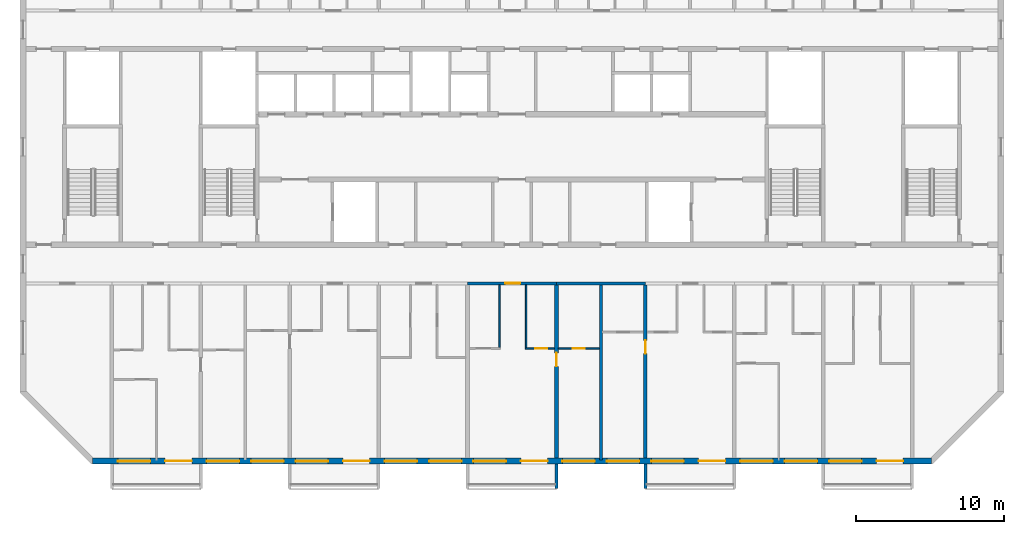
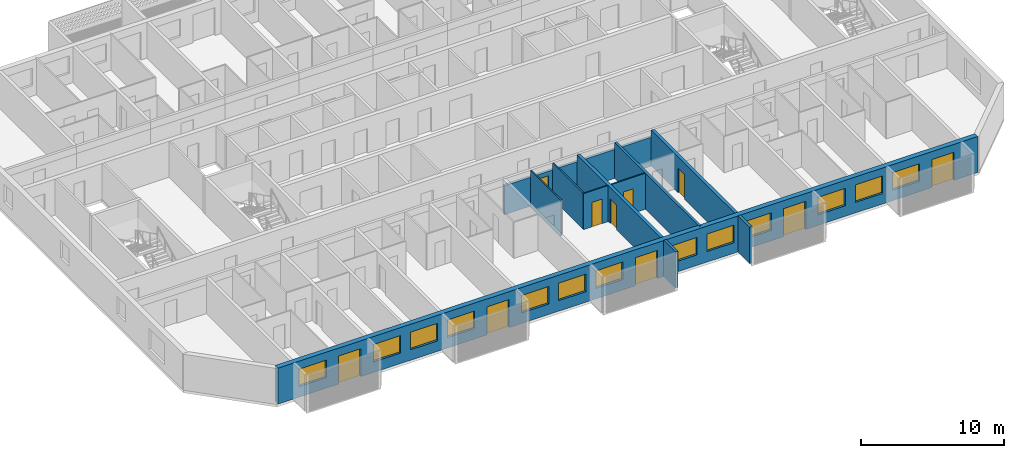
# One storey, part 4 of 27: 13 windows, 12 walls, 10 doors, 23 openings.
"""IFC4 building model written with IfcOpenShell, lengths in metres."""

from ifc_helpers import new_model, si_unit, direction, frame, frame_2d, origin, place, context, subcontext, project, spatial, polyline, rectangle, outline, extrude, source, transform, mapped, material, layer, layer_set, type_object, element, fill, save


model = new_model("IFC4")

# Units and contexts
model_context = context("Model", 3, precision=1e-05, world=origin(), true_north=direction((0.0, 1.0)))
body_context = subcontext(model_context, "Body", "Model", "MODEL_VIEW")
ifc_project = project(units=[si_unit("LENGTHUNIT", "METRE"), si_unit("AREAUNIT", "SQUARE_METRE"), si_unit("VOLUMEUNIT", "CUBIC_METRE"), si_unit("PLANEANGLEUNIT", "RADIAN"), si_unit("MASSUNIT", "GRAM", prefix="KILO")], contexts=[model_context])

# Site, building, storey
site_placement = place(None, origin())
site = spatial("IfcSite", under=ifc_project, at=site_placement, CompositionType="ELEMENT")
building_placement = place(site_placement, origin())
building = spatial("IfcBuilding", under=site, at=building_placement, Name="Poui Terraces", CompositionType="ELEMENT")
storey_placement = place(building_placement, frame((0.0, 0.0, 254.39990234375)))
storey = spatial("IfcBuildingStorey", under=building, at=storey_placement, Name="L71", CompositionType="ELEMENT", Elevation=254.39990234375)

# Wall, opening, door
ifc_material_1 = material(Name="Concrete 50 MPa", Category="concrete")
ifc_layer_1 = layer(ifc_material_1, 0.199951171875)
ifc_layer_set_1 = layer_set([ifc_layer_1], Name="Concrete 50 MPa")
wall_type_1 = type_object("IfcWallType", Name="CORRIDOR WALL 200 50MPa", PredefinedType="SHEAR", material=ifc_layer_set_1)
wall_1_placement = place(storey_placement, frame((48.0, 12.0, 0.0), z_axis=(0.0, 0.0, 1.0), x_axis=(1.0, 0.0, 0.0)))
wall_1 = element("IfcWall", 1, at=wall_1_placement, inside=storey, type_object=wall_type_1, Name="CORRIDOR WALL LINE B BAY 6", PredefinedType="SHEAR", context=body_context, shape_type="SweptSolid", body=[
    extrude(rectangle(XDim=6.0, YDim=0.199951171875, at=frame_2d((3.0, 0.0))), origin(), (0.0, 0.0, 1.0), 2.47998046875),
])
opening_1_placement = place(wall_1_placement, frame((2.550048828125, 0.0, 0.0)))
opening_1 = element("IfcOpeningElement", 2, at=opening_1_placement, cuts=wall_1, Name="Opening FD30S", PredefinedType="OPENING", context=body_context, shape_type="SweptSolid", body=[
    extrude(rectangle(XDim=1.0, YDim=2.10009765625, at=frame_2d((0.5, 1.050048828125))), frame((0.0, 0.10986328125, 0.0), z_axis=(0.0, -1.0, 0.0), x_axis=(1.0, 0.0, 0.0)), (0.0, 0.0, 1.0), 0.219970703125),
])
ifc_material_2 = material(Name="Steel fire door", Category="steel")
door_type_1 = type_object("IfcDoorType", Name="FLAT ENTRANCE DOOR 1000 X 2100", OperationType="NOTDEFINED", PredefinedType="DOOR", material=ifc_material_2)
door_1_placement = place(opening_1_placement, frame((1.0, 0.0, 0.0), z_axis=(0.0, 0.0, 1.0), x_axis=(-1.0, 0.0, 0.0)))
door_1 = element("IfcDoor", 3, at=door_1_placement, inside=storey, type_object=door_type_1, Name="FLAT ENTRANCE DOOR 078", OperationType="SINGLE_SWING_LEFT", OverallHeight=2.10009765625, OverallWidth=1.0, PredefinedType="DOOR", context=body_context, shape_type="SweptSolid", body=[
    extrude(rectangle(XDim=1.0, YDim=2.10009765625, at=frame_2d((0.5, 1.050048828125))), frame((0.0, 0.02490234375, 0.0), z_axis=(0.0, -1.0, 0.0), x_axis=(1.0, 0.0, 0.0)), (0.0, 0.0, 1.0), 0.050048828125),
])
fill(opening_1, door_1)

# Wall
wall_2_placement = place(storey_placement, frame((54.0, 12.0, 0.0), z_axis=(0.0, 0.0, 1.0), x_axis=(1.0, 0.0, 0.0)))
element("IfcWall", 4, at=wall_2_placement, inside=storey, type_object=wall_type_1, Name="CORRIDOR WALL LINE B BAY 7", PredefinedType="SHEAR", context=body_context, shape_type="SweptSolid", body=[
    extrude(rectangle(XDim=6.0, YDim=0.199951171875, at=frame_2d((3.0, 0.0))), origin(), (0.0, 0.0, 1.0), 2.47998046875),
])

# Wall, opening, door
ifc_layer_2 = layer(ifc_material_1, 0.25)
ifc_layer_set_2 = layer_set([ifc_layer_2], Name="Concrete 50 MPa")
wall_type_2 = type_object("IfcWallType", Name="CROSS WALL 250 50MPa", PredefinedType="SHEAR", material=ifc_layer_set_2)
wall_3_placement = place(storey_placement, frame((54.0, 0.199951171875, 0.0), z_axis=(0.0, 0.0, 1.0), x_axis=(0.0, 1.0, 0.0)))
wall_3 = element("IfcWall", 5, at=wall_3_placement, inside=storey, type_object=wall_type_2, Name="CROSS WALL LINE 10 SOUTH", PredefinedType="SHEAR", context=body_context, shape_type="SweptSolid", body=[
    extrude(rectangle(XDim=11.699951171875, YDim=0.25, at=frame_2d((5.85009765625, 0.0))), origin(), (0.0, 0.0, 1.0), 3.080078125),
])
opening_2_placement = place(wall_3_placement, frame((6.199951171875, 0.0, 0.0)))
opening_2 = element("IfcOpeningElement", 6, at=opening_2_placement, cuts=wall_3, Name="Opening D90", PredefinedType="OPENING", context=body_context, shape_type="SweptSolid", body=[
    extrude(rectangle(XDim=0.89990234375, YDim=2.10009765625, at=frame_2d((0.449951171875, 1.050048828125))), frame((0.0, 0.135009765625, 0.0), z_axis=(0.0, -1.0, 0.0), x_axis=(1.0, 0.0, 0.0)), (0.0, 0.0, 1.0), 0.27001953125),
])
ifc_material_3 = material(Name="Solid core timber door", Category="wood")
door_type_2 = type_object("IfcDoorType", Name="INTERNAL DOOR 900 X 2100", OperationType="NOTDEFINED", PredefinedType="DOOR", material=ifc_material_3)
door_2_placement = place(opening_2_placement, frame((0.89990234375, 0.0, 0.0), z_axis=(0.0, 0.0, 1.0), x_axis=(-1.0, 0.0, 0.0)))
door_2 = element("IfcDoor", 7, at=door_2_placement, inside=storey, type_object=door_type_2, Name="INTERNAL DOOR 080", OperationType="SINGLE_SWING_LEFT", OverallHeight=2.10009765625, OverallWidth=0.89990234375, PredefinedType="DOOR", context=body_context, shape_type="SweptSolid", body=[
    extrude(rectangle(XDim=0.89990234375, YDim=2.10009765625, at=frame_2d((0.449951171875, 1.050048828125))), frame((0.0, 0.02490234375, 0.0), z_axis=(0.0, -1.0, 0.0), x_axis=(1.0, 0.0, 0.0)), (0.0, 0.0, 1.0), 0.050048828125),
])
fill(opening_2, door_2)

wall_4_placement = place(storey_placement, frame((60.0, 0.199951171875, 0.0), z_axis=(0.0, 0.0, 1.0), x_axis=(0.0, 1.0, 0.0)))
wall_4 = element("IfcWall", 8, at=wall_4_placement, inside=storey, type_object=wall_type_2, Name="CROSS WALL LINE 11 SOUTH", PredefinedType="SHEAR", context=body_context, shape_type="SweptSolid", body=[
    extrude(rectangle(XDim=11.699951171875, YDim=0.25, at=frame_2d((5.85009765625, 0.0))), origin(), (0.0, 0.0, 1.0), 3.080078125),
])
opening_3_placement = place(wall_4_placement, frame((7.050048828125, 0.0, 0.0)))
opening_3 = element("IfcOpeningElement", 9, at=opening_3_placement, cuts=wall_4, Name="Opening D90", PredefinedType="OPENING", context=body_context, shape_type="SweptSolid", body=[
    extrude(rectangle(XDim=0.89990234375, YDim=2.10009765625, at=frame_2d((0.449951171875, 1.050048828125))), frame((0.0, 0.135009765625, 0.0), z_axis=(0.0, -1.0, 0.0), x_axis=(1.0, 0.0, 0.0)), (0.0, 0.0, 1.0), 0.27001953125),
])
door_3_placement = place(opening_3_placement, origin())
door_3 = element("IfcDoor", 10, at=door_3_placement, inside=storey, type_object=door_type_2, Name="INTERNAL DOOR 082", OperationType="SINGLE_SWING_RIGHT", OverallHeight=2.10009765625, OverallWidth=0.89990234375, PredefinedType="DOOR", context=body_context, shape_type="SweptSolid", body=[
    extrude(rectangle(XDim=0.89990234375, YDim=2.10009765625, at=frame_2d((0.449951171875, 1.050048828125))), frame((0.0, 0.02490234375, 0.0), z_axis=(0.0, -1.0, 0.0), x_axis=(1.0, 0.0, 0.0)), (0.0, 0.0, 1.0), 0.050048828125),
])
fill(opening_3, door_3)

# Wall, openings, doors, windows
ifc_material_4 = material(Name="Precast concrete 40 MPa", Category="concrete")
ifc_layer_3 = layer(ifc_material_4, 0.39990234375)
ifc_layer_set_3 = layer_set([ifc_layer_3], Name="Precast concrete 40 MPa")
wall_type_3 = type_object("IfcWallType", Name="EXTERNAL WALL 400", PredefinedType="STANDARD", material=ifc_layer_set_3)
wall_5_placement = place(storey_placement, frame((22.682861328125, 0.0, 0.0), z_axis=(0.0, 0.0, 1.0), x_axis=(1.0, 0.0, 0.0)))
wall_5 = element("IfcWall", 11, at=wall_5_placement, inside=storey, type_object=wall_type_3, Name="EXTERNAL WALL S", PredefinedType="STANDARD", context=body_context, shape_type="SweptSolid", body=[
    extrude(rectangle(XDim=56.63427734375, YDim=0.39990234375, at=frame_2d((28.317138671875, 0.0))), origin(), (0.0, 0.0, 1.0), 3.080078125),
])
opening_4_placement = place(wall_5_placement, frame((1.71728515625, 0.0, 0.89990234375)))
opening_4 = element("IfcOpeningElement", 12, at=opening_4_placement, cuts=wall_5, Name="Opening W1", PredefinedType="OPENING", context=body_context, shape_type="SweptSolid", body=[
    extrude(rectangle(XDim=2.199951171875, YDim=1.5, at=frame_2d((1.10009765625, 0.75))), frame((0.0, 0.2099609375, 0.0), z_axis=(0.0, -1.0, 0.0), x_axis=(1.0, 0.0, 0.0)), (0.0, 0.0, 1.0), 0.419921875),
])
opening_5_placement = place(wall_5_placement, frame((4.917236328125, 0.0, 0.0)))
opening_5 = element("IfcOpeningElement", 13, at=opening_5_placement, cuts=wall_5, Name="Opening BD1", PredefinedType="OPENING", context=body_context, shape_type="SweptSolid", body=[
    extrude(rectangle(XDim=1.800048828125, YDim=2.39990234375, at=frame_2d((0.89990234375, 1.199951171875))), frame((0.0, 0.2099609375, 0.0), z_axis=(0.0, -1.0, 0.0), x_axis=(1.0, 0.0, 0.0)), (0.0, 0.0, 1.0), 0.419921875),
])
opening_6_placement = place(wall_5_placement, frame((7.71728515625, 0.0, 0.89990234375)))
opening_6 = element("IfcOpeningElement", 14, at=opening_6_placement, cuts=wall_5, Name="Opening W1", PredefinedType="OPENING", context=body_context, shape_type="SweptSolid", body=[
    extrude(rectangle(XDim=2.199951171875, YDim=1.5, at=frame_2d((1.10009765625, 0.75))), frame((0.0, 0.2099609375, 0.0), z_axis=(0.0, -1.0, 0.0), x_axis=(1.0, 0.0, 0.0)), (0.0, 0.0, 1.0), 0.419921875),
])
opening_7_placement = place(wall_5_placement, frame((10.71728515625, 0.0, 0.89990234375)))
opening_7 = element("IfcOpeningElement", 15, at=opening_7_placement, cuts=wall_5, Name="Opening W1", PredefinedType="OPENING", context=body_context, shape_type="SweptSolid", body=[
    extrude(rectangle(XDim=2.199951171875, YDim=1.5, at=frame_2d((1.10009765625, 0.75))), frame((0.0, 0.2099609375, 0.0), z_axis=(0.0, -1.0, 0.0), x_axis=(1.0, 0.0, 0.0)), (0.0, 0.0, 1.0), 0.419921875),
])
opening_8_placement = place(wall_5_placement, frame((13.71728515625, 0.0, 0.89990234375)))
opening_8 = element("IfcOpeningElement", 16, at=opening_8_placement, cuts=wall_5, Name="Opening W1", PredefinedType="OPENING", context=body_context, shape_type="SweptSolid", body=[
    extrude(rectangle(XDim=2.199951171875, YDim=1.5, at=frame_2d((1.10009765625, 0.75))), frame((0.0, 0.2099609375, 0.0), z_axis=(0.0, -1.0, 0.0), x_axis=(1.0, 0.0, 0.0)), (0.0, 0.0, 1.0), 0.419921875),
])
opening_9_placement = place(wall_5_placement, frame((16.917236328125, 0.0, 0.0)))
opening_9 = element("IfcOpeningElement", 17, at=opening_9_placement, cuts=wall_5, Name="Opening BD1", PredefinedType="OPENING", context=body_context, shape_type="SweptSolid", body=[
    extrude(rectangle(XDim=1.800048828125, YDim=2.39990234375, at=frame_2d((0.89990234375, 1.199951171875))), frame((0.0, 0.2099609375, 0.0), z_axis=(0.0, -1.0, 0.0), x_axis=(1.0, 0.0, 0.0)), (0.0, 0.0, 1.0), 0.419921875),
])
opening_10_placement = place(wall_5_placement, frame((19.71728515625, 0.0, 0.89990234375)))
opening_10 = element("IfcOpeningElement", 18, at=opening_10_placement, cuts=wall_5, Name="Opening W1", PredefinedType="OPENING", context=body_context, shape_type="SweptSolid", body=[
    extrude(rectangle(XDim=2.199951171875, YDim=1.5, at=frame_2d((1.10009765625, 0.75))), frame((0.0, 0.2099609375, 0.0), z_axis=(0.0, -1.0, 0.0), x_axis=(1.0, 0.0, 0.0)), (0.0, 0.0, 1.0), 0.419921875),
])
opening_11_placement = place(wall_5_placement, frame((22.71728515625, 0.0, 0.89990234375)))
opening_11 = element("IfcOpeningElement", 19, at=opening_11_placement, cuts=wall_5, Name="Opening W1", PredefinedType="OPENING", context=body_context, shape_type="SweptSolid", body=[
    extrude(rectangle(XDim=2.199951171875, YDim=1.5, at=frame_2d((1.10009765625, 0.75))), frame((0.0, 0.2099609375, 0.0), z_axis=(0.0, -1.0, 0.0), x_axis=(1.0, 0.0, 0.0)), (0.0, 0.0, 1.0), 0.419921875),
])
opening_12_placement = place(wall_5_placement, frame((25.71728515625, 0.0, 0.89990234375)))
opening_12 = element("IfcOpeningElement", 20, at=opening_12_placement, cuts=wall_5, Name="Opening W1", PredefinedType="OPENING", context=body_context, shape_type="SweptSolid", body=[
    extrude(rectangle(XDim=2.199951171875, YDim=1.5, at=frame_2d((1.10009765625, 0.75))), frame((0.0, 0.2099609375, 0.0), z_axis=(0.0, -1.0, 0.0), x_axis=(1.0, 0.0, 0.0)), (0.0, 0.0, 1.0), 0.419921875),
])
opening_13_placement = place(wall_5_placement, frame((28.917236328125, 0.0, 0.0)))
opening_13 = element("IfcOpeningElement", 21, at=opening_13_placement, cuts=wall_5, Name="Opening BD1", PredefinedType="OPENING", context=body_context, shape_type="SweptSolid", body=[
    extrude(rectangle(XDim=1.800048828125, YDim=2.39990234375, at=frame_2d((0.89990234375, 1.199951171875))), frame((0.0, 0.2099609375, 0.0), z_axis=(0.0, -1.0, 0.0), x_axis=(1.0, 0.0, 0.0)), (0.0, 0.0, 1.0), 0.419921875),
])
opening_14_placement = place(wall_5_placement, frame((31.71728515625, 0.0, 0.89990234375)))
opening_14 = element("IfcOpeningElement", 22, at=opening_14_placement, cuts=wall_5, Name="Opening W1", PredefinedType="OPENING", context=body_context, shape_type="SweptSolid", body=[
    extrude(rectangle(XDim=2.199951171875, YDim=1.5, at=frame_2d((1.10009765625, 0.75))), frame((0.0, 0.2099609375, 0.0), z_axis=(0.0, -1.0, 0.0), x_axis=(1.0, 0.0, 0.0)), (0.0, 0.0, 1.0), 0.419921875),
])
opening_15_placement = place(wall_5_placement, frame((34.71728515625, 0.0, 0.89990234375)))
opening_15 = element("IfcOpeningElement", 23, at=opening_15_placement, cuts=wall_5, Name="Opening W1", PredefinedType="OPENING", context=body_context, shape_type="SweptSolid", body=[
    extrude(rectangle(XDim=2.199951171875, YDim=1.5, at=frame_2d((1.10009765625, 0.75))), frame((0.0, 0.2099609375, 0.0), z_axis=(0.0, -1.0, 0.0), x_axis=(1.0, 0.0, 0.0)), (0.0, 0.0, 1.0), 0.419921875),
])
opening_16_placement = place(wall_5_placement, frame((37.71728515625, 0.0, 0.89990234375)))
opening_16 = element("IfcOpeningElement", 24, at=opening_16_placement, cuts=wall_5, Name="Opening W1", PredefinedType="OPENING", context=body_context, shape_type="SweptSolid", body=[
    extrude(rectangle(XDim=2.199951171875, YDim=1.5, at=frame_2d((1.10009765625, 0.75))), frame((0.0, 0.2099609375, 0.0), z_axis=(0.0, -1.0, 0.0), x_axis=(1.0, 0.0, 0.0)), (0.0, 0.0, 1.0), 0.419921875),
])
opening_17_placement = place(wall_5_placement, frame((40.917236328125, 0.0, 0.0)))
opening_17 = element("IfcOpeningElement", 25, at=opening_17_placement, cuts=wall_5, Name="Opening BD1", PredefinedType="OPENING", context=body_context, shape_type="SweptSolid", body=[
    extrude(rectangle(XDim=1.800048828125, YDim=2.39990234375, at=frame_2d((0.89990234375, 1.199951171875))), frame((0.0, 0.2099609375, 0.0), z_axis=(0.0, -1.0, 0.0), x_axis=(1.0, 0.0, 0.0)), (0.0, 0.0, 1.0), 0.419921875),
])
opening_18_placement = place(wall_5_placement, frame((43.71728515625, 0.0, 0.89990234375)))
opening_18 = element("IfcOpeningElement", 26, at=opening_18_placement, cuts=wall_5, Name="Opening W1", PredefinedType="OPENING", context=body_context, shape_type="SweptSolid", body=[
    extrude(rectangle(XDim=2.199951171875, YDim=1.5, at=frame_2d((1.10009765625, 0.75))), frame((0.0, 0.2099609375, 0.0), z_axis=(0.0, -1.0, 0.0), x_axis=(1.0, 0.0, 0.0)), (0.0, 0.0, 1.0), 0.419921875),
])
opening_19_placement = place(wall_5_placement, frame((46.71728515625, 0.0, 0.89990234375)))
opening_19 = element("IfcOpeningElement", 27, at=opening_19_placement, cuts=wall_5, Name="Opening W1", PredefinedType="OPENING", context=body_context, shape_type="SweptSolid", body=[
    extrude(rectangle(XDim=2.199951171875, YDim=1.5, at=frame_2d((1.10009765625, 0.75))), frame((0.0, 0.2099609375, 0.0), z_axis=(0.0, -1.0, 0.0), x_axis=(1.0, 0.0, 0.0)), (0.0, 0.0, 1.0), 0.419921875),
])
opening_20_placement = place(wall_5_placement, frame((49.71728515625, 0.0, 0.89990234375)))
opening_20 = element("IfcOpeningElement", 28, at=opening_20_placement, cuts=wall_5, Name="Opening W1", PredefinedType="OPENING", context=body_context, shape_type="SweptSolid", body=[
    extrude(rectangle(XDim=2.199951171875, YDim=1.5, at=frame_2d((1.10009765625, 0.75))), frame((0.0, 0.2099609375, 0.0), z_axis=(0.0, -1.0, 0.0), x_axis=(1.0, 0.0, 0.0)), (0.0, 0.0, 1.0), 0.419921875),
])
opening_21_placement = place(wall_5_placement, frame((52.917236328125, 0.0, 0.0)))
opening_21 = element("IfcOpeningElement", 29, at=opening_21_placement, cuts=wall_5, Name="Opening BD1", PredefinedType="OPENING", context=body_context, shape_type="SweptSolid", body=[
    extrude(rectangle(XDim=1.800048828125, YDim=2.39990234375, at=frame_2d((0.89990234375, 1.199951171875))), frame((0.0, 0.2099609375, 0.0), z_axis=(0.0, -1.0, 0.0), x_axis=(1.0, 0.0, 0.0)), (0.0, 0.0, 1.0), 0.419921875),
])
ifc_material_5 = material(Name="Clear glass in aluminium frame", Category="aluminium")
door_type_3 = type_object("IfcDoorType", Name="BALCONY DOOR 1800X2400", OperationType="DOUBLE_DOOR_SLIDING", PredefinedType="DOOR", material=ifc_material_5)
door_4_placement = place(opening_5_placement, origin())
door_4 = element("IfcDoor", 30, at=door_4_placement, inside=storey, type_object=door_type_3, Name="BD1 BALCONY DOOR", OperationType="DOUBLE_DOOR_SLIDING", OverallHeight=2.39990234375, OverallWidth=1.800048828125, PredefinedType="DOOR", context=body_context, shape_type="SweptSolid", body=[
    extrude(rectangle(XDim=1.800048828125, YDim=2.39990234375, at=frame_2d((0.89990234375, 1.199951171875))), frame((0.0, 0.02490234375, 0.0), z_axis=(0.0, -1.0, 0.0), x_axis=(1.0, 0.0, 0.0)), (0.0, 0.0, 1.0), 0.050048828125),
])
fill(opening_5, door_4)
door_5_placement = place(opening_9_placement, origin())
door_5 = element("IfcDoor", 31, at=door_5_placement, inside=storey, type_object=door_type_3, Name="BD1 BALCONY DOOR", OperationType="DOUBLE_DOOR_SLIDING", OverallHeight=2.39990234375, OverallWidth=1.800048828125, PredefinedType="DOOR", context=body_context, shape_type="SweptSolid", body=[
    extrude(rectangle(XDim=1.800048828125, YDim=2.39990234375, at=frame_2d((0.89990234375, 1.199951171875))), frame((0.0, 0.02490234375, 0.0), z_axis=(0.0, -1.0, 0.0), x_axis=(1.0, 0.0, 0.0)), (0.0, 0.0, 1.0), 0.050048828125),
])
fill(opening_9, door_5)
door_6_placement = place(opening_13_placement, origin())
door_6 = element("IfcDoor", 32, at=door_6_placement, inside=storey, type_object=door_type_3, Name="BD1 BALCONY DOOR", OperationType="DOUBLE_DOOR_SLIDING", OverallHeight=2.39990234375, OverallWidth=1.800048828125, PredefinedType="DOOR", context=body_context, shape_type="SweptSolid", body=[
    extrude(rectangle(XDim=1.800048828125, YDim=2.39990234375, at=frame_2d((0.89990234375, 1.199951171875))), frame((0.0, 0.02490234375, 0.0), z_axis=(0.0, -1.0, 0.0), x_axis=(1.0, 0.0, 0.0)), (0.0, 0.0, 1.0), 0.050048828125),
])
fill(opening_13, door_6)
door_7_placement = place(opening_17_placement, origin())
door_7 = element("IfcDoor", 33, at=door_7_placement, inside=storey, type_object=door_type_3, Name="BD1 BALCONY DOOR", OperationType="DOUBLE_DOOR_SLIDING", OverallHeight=2.39990234375, OverallWidth=1.800048828125, PredefinedType="DOOR", context=body_context, shape_type="SweptSolid", body=[
    extrude(rectangle(XDim=1.800048828125, YDim=2.39990234375, at=frame_2d((0.89990234375, 1.199951171875))), frame((0.0, 0.02490234375, 0.0), z_axis=(0.0, -1.0, 0.0), x_axis=(1.0, 0.0, 0.0)), (0.0, 0.0, 1.0), 0.050048828125),
])
fill(opening_17, door_7)
door_8_placement = place(opening_21_placement, origin())
door_8 = element("IfcDoor", 34, at=door_8_placement, inside=storey, type_object=door_type_3, Name="BD1 BALCONY DOOR", OperationType="DOUBLE_DOOR_SLIDING", OverallHeight=2.39990234375, OverallWidth=1.800048828125, PredefinedType="DOOR", context=body_context, shape_type="SweptSolid", body=[
    extrude(rectangle(XDim=1.800048828125, YDim=2.39990234375, at=frame_2d((0.89990234375, 1.199951171875))), frame((0.0, 0.02490234375, 0.0), z_axis=(0.0, -1.0, 0.0), x_axis=(1.0, 0.0, 0.0)), (0.0, 0.0, 1.0), 0.050048828125),
])
fill(opening_21, door_8)
window_type = type_object("IfcWindowType", Name="WINDOW 2200X1500", PartitioningType="DOUBLE_PANEL_HORIZONTAL", PredefinedType="WINDOW", material=ifc_material_5)
window_1_placement = place(opening_4_placement, origin())
window_1 = element("IfcWindow", 35, at=window_1_placement, inside=storey, type_object=window_type, Name="W1 WINDOW", OverallHeight=1.5, OverallWidth=2.199951171875, PartitioningType="DOUBLE_PANEL_HORIZONTAL", PredefinedType="WINDOW", context=body_context, shape_type="SweptSolid", body=[
    extrude(rectangle(XDim=2.199951171875, YDim=1.5, at=frame_2d((1.10009765625, 0.75))), frame((0.0, 0.030029296875, 0.0), z_axis=(0.0, -1.0, 0.0), x_axis=(1.0, 0.0, 0.0)), (0.0, 0.0, 1.0), 0.06005859375),
])
fill(opening_4, window_1)
window_2_placement = place(opening_6_placement, origin())
window_2 = element("IfcWindow", 36, at=window_2_placement, inside=storey, type_object=window_type, Name="W1 WINDOW", OverallHeight=1.5, OverallWidth=2.199951171875, PartitioningType="DOUBLE_PANEL_HORIZONTAL", PredefinedType="WINDOW", context=body_context, shape_type="SweptSolid", body=[
    extrude(rectangle(XDim=2.199951171875, YDim=1.5, at=frame_2d((1.10009765625, 0.75))), frame((0.0, 0.030029296875, 0.0), z_axis=(0.0, -1.0, 0.0), x_axis=(1.0, 0.0, 0.0)), (0.0, 0.0, 1.0), 0.06005859375),
])
fill(opening_6, window_2)
window_3_placement = place(opening_7_placement, origin())
window_3 = element("IfcWindow", 37, at=window_3_placement, inside=storey, type_object=window_type, Name="W1 WINDOW", OverallHeight=1.5, OverallWidth=2.199951171875, PartitioningType="DOUBLE_PANEL_HORIZONTAL", PredefinedType="WINDOW", context=body_context, shape_type="SweptSolid", body=[
    extrude(rectangle(XDim=2.199951171875, YDim=1.5, at=frame_2d((1.10009765625, 0.75))), frame((0.0, 0.030029296875, 0.0), z_axis=(0.0, -1.0, 0.0), x_axis=(1.0, 0.0, 0.0)), (0.0, 0.0, 1.0), 0.06005859375),
])
fill(opening_7, window_3)
window_4_placement = place(opening_8_placement, origin())
window_4 = element("IfcWindow", 38, at=window_4_placement, inside=storey, type_object=window_type, Name="W1 WINDOW", OverallHeight=1.5, OverallWidth=2.199951171875, PartitioningType="DOUBLE_PANEL_HORIZONTAL", PredefinedType="WINDOW", context=body_context, shape_type="SweptSolid", body=[
    extrude(rectangle(XDim=2.199951171875, YDim=1.5, at=frame_2d((1.10009765625, 0.75))), frame((0.0, 0.030029296875, 0.0), z_axis=(0.0, -1.0, 0.0), x_axis=(1.0, 0.0, 0.0)), (0.0, 0.0, 1.0), 0.06005859375),
])
fill(opening_8, window_4)
window_5_placement = place(opening_10_placement, origin())
window_5 = element("IfcWindow", 39, at=window_5_placement, inside=storey, type_object=window_type, Name="W1 WINDOW", OverallHeight=1.5, OverallWidth=2.199951171875, PartitioningType="DOUBLE_PANEL_HORIZONTAL", PredefinedType="WINDOW", context=body_context, shape_type="SweptSolid", body=[
    extrude(rectangle(XDim=2.199951171875, YDim=1.5, at=frame_2d((1.10009765625, 0.75))), frame((0.0, 0.030029296875, 0.0), z_axis=(0.0, -1.0, 0.0), x_axis=(1.0, 0.0, 0.0)), (0.0, 0.0, 1.0), 0.06005859375),
])
fill(opening_10, window_5)
window_6_placement = place(opening_11_placement, origin())
window_6 = element("IfcWindow", 40, at=window_6_placement, inside=storey, type_object=window_type, Name="W1 WINDOW", OverallHeight=1.5, OverallWidth=2.199951171875, PartitioningType="DOUBLE_PANEL_HORIZONTAL", PredefinedType="WINDOW", context=body_context, shape_type="SweptSolid", body=[
    extrude(rectangle(XDim=2.199951171875, YDim=1.5, at=frame_2d((1.10009765625, 0.75))), frame((0.0, 0.030029296875, 0.0), z_axis=(0.0, -1.0, 0.0), x_axis=(1.0, 0.0, 0.0)), (0.0, 0.0, 1.0), 0.06005859375),
])
fill(opening_11, window_6)
window_7_placement = place(opening_12_placement, origin())
window_7 = element("IfcWindow", 41, at=window_7_placement, inside=storey, type_object=window_type, Name="W1 WINDOW", OverallHeight=1.5, OverallWidth=2.199951171875, PartitioningType="DOUBLE_PANEL_HORIZONTAL", PredefinedType="WINDOW", context=body_context, shape_type="SweptSolid", body=[
    extrude(rectangle(XDim=2.199951171875, YDim=1.5, at=frame_2d((1.10009765625, 0.75))), frame((0.0, 0.030029296875, 0.0), z_axis=(0.0, -1.0, 0.0), x_axis=(1.0, 0.0, 0.0)), (0.0, 0.0, 1.0), 0.06005859375),
])
fill(opening_12, window_7)
window_8_placement = place(opening_14_placement, origin())
window_8 = element("IfcWindow", 42, at=window_8_placement, inside=storey, type_object=window_type, Name="W1 WINDOW", OverallHeight=1.5, OverallWidth=2.199951171875, PartitioningType="DOUBLE_PANEL_HORIZONTAL", PredefinedType="WINDOW", context=body_context, shape_type="SweptSolid", body=[
    extrude(rectangle(XDim=2.199951171875, YDim=1.5, at=frame_2d((1.10009765625, 0.75))), frame((0.0, 0.030029296875, 0.0), z_axis=(0.0, -1.0, 0.0), x_axis=(1.0, 0.0, 0.0)), (0.0, 0.0, 1.0), 0.06005859375),
])
fill(opening_14, window_8)
window_9_placement = place(opening_15_placement, origin())
window_9 = element("IfcWindow", 43, at=window_9_placement, inside=storey, type_object=window_type, Name="W1 WINDOW", OverallHeight=1.5, OverallWidth=2.199951171875, PartitioningType="DOUBLE_PANEL_HORIZONTAL", PredefinedType="WINDOW", context=body_context, shape_type="SweptSolid", body=[
    extrude(rectangle(XDim=2.199951171875, YDim=1.5, at=frame_2d((1.10009765625, 0.75))), frame((0.0, 0.030029296875, 0.0), z_axis=(0.0, -1.0, 0.0), x_axis=(1.0, 0.0, 0.0)), (0.0, 0.0, 1.0), 0.06005859375),
])
fill(opening_15, window_9)
window_10_placement = place(opening_16_placement, origin())
window_10 = element("IfcWindow", 44, at=window_10_placement, inside=storey, type_object=window_type, Name="W1 WINDOW", OverallHeight=1.5, OverallWidth=2.199951171875, PartitioningType="DOUBLE_PANEL_HORIZONTAL", PredefinedType="WINDOW", context=body_context, shape_type="SweptSolid", body=[
    extrude(rectangle(XDim=2.199951171875, YDim=1.5, at=frame_2d((1.10009765625, 0.75))), frame((0.0, 0.030029296875, 0.0), z_axis=(0.0, -1.0, 0.0), x_axis=(1.0, 0.0, 0.0)), (0.0, 0.0, 1.0), 0.06005859375),
])
fill(opening_16, window_10)
window_11_placement = place(opening_18_placement, origin())
window_11 = element("IfcWindow", 45, at=window_11_placement, inside=storey, type_object=window_type, Name="W1 WINDOW", OverallHeight=1.5, OverallWidth=2.199951171875, PartitioningType="DOUBLE_PANEL_HORIZONTAL", PredefinedType="WINDOW", context=body_context, shape_type="SweptSolid", body=[
    extrude(rectangle(XDim=2.199951171875, YDim=1.5, at=frame_2d((1.10009765625, 0.75))), frame((0.0, 0.030029296875, 0.0), z_axis=(0.0, -1.0, 0.0), x_axis=(1.0, 0.0, 0.0)), (0.0, 0.0, 1.0), 0.06005859375),
])
fill(opening_18, window_11)
window_12_placement = place(opening_19_placement, origin())
window_12 = element("IfcWindow", 46, at=window_12_placement, inside=storey, type_object=window_type, Name="W1 WINDOW", OverallHeight=1.5, OverallWidth=2.199951171875, PartitioningType="DOUBLE_PANEL_HORIZONTAL", PredefinedType="WINDOW", context=body_context, shape_type="SweptSolid", body=[
    extrude(rectangle(XDim=2.199951171875, YDim=1.5, at=frame_2d((1.10009765625, 0.75))), frame((0.0, 0.030029296875, 0.0), z_axis=(0.0, -1.0, 0.0), x_axis=(1.0, 0.0, 0.0)), (0.0, 0.0, 1.0), 0.06005859375),
])
fill(opening_19, window_12)
window_13_placement = place(opening_20_placement, origin())
window_13 = element("IfcWindow", 47, at=window_13_placement, inside=storey, type_object=window_type, Name="W1 WINDOW", OverallHeight=1.5, OverallWidth=2.199951171875, PartitioningType="DOUBLE_PANEL_HORIZONTAL", PredefinedType="WINDOW", context=body_context, shape_type="SweptSolid", body=[
    extrude(rectangle(XDim=2.199951171875, YDim=1.5, at=frame_2d((1.10009765625, 0.75))), frame((0.0, 0.030029296875, 0.0), z_axis=(0.0, -1.0, 0.0), x_axis=(1.0, 0.0, 0.0)), (0.0, 0.0, 1.0), 0.06005859375),
])
fill(opening_20, window_13)

# Wall, opening, door
ifc_material_6 = material(Name="Plasterboard partition")
ifc_layer_4 = layer(ifc_material_6, 0.10009765625)
ifc_layer_set_4 = layer_set([ifc_layer_4], Name="Plasterboard partition")
wall_type_4 = type_object("IfcWallType", Name="FLAT PARTITION 100", PredefinedType="PARTITIONING", material=ifc_layer_set_4)
wall_6_placement = place(storey_placement, frame((51.89990234375, 7.60009765625, 0.0), z_axis=(0.0, 0.0, 1.0), x_axis=(1.0, 0.0, 0.0)))
wall_6 = element("IfcWall", 48, at=wall_6_placement, inside=storey, type_object=wall_type_4, Name="FLAT PARTITION 100", PredefinedType="PARTITIONING", context=body_context, shape_type="SweptSolid", body=[
    extrude(rectangle(XDim=1.965087890625, YDim=0.10009765625, at=frame_2d((0.982421875, 0.0))), origin(), (0.0, 0.0, 1.0), 3.080078125),
])
opening_22_placement = place(wall_6_placement, frame((0.675048828125, 0.0, 0.0)))
opening_22 = element("IfcOpeningElement", 49, at=opening_22_placement, cuts=wall_6, Name="Opening D80", PredefinedType="OPENING", context=body_context, shape_type="SweptSolid", body=[
    extrude(rectangle(XDim=0.800048828125, YDim=2.10009765625, at=frame_2d((0.39990234375, 1.050048828125))), frame((0.0, 0.06005859375, 0.0), z_axis=(0.0, -1.0, 0.0), x_axis=(1.0, 0.0, 0.0)), (0.0, 0.0, 1.0), 0.1201171875),
])
door_type_4 = type_object("IfcDoorType", Name="BATHROOM, LAUNDRY AND STORE DOOR 800 X 2100", OperationType="NOTDEFINED", PredefinedType="DOOR", material=ifc_material_3)
door_9_placement = place(opening_22_placement, origin())
door_9 = element("IfcDoor", 50, at=door_9_placement, inside=storey, type_object=door_type_4, Name="BATHROOM, LAUNDRY AND STORE DOOR 079", OperationType="SINGLE_SWING_LEFT", OverallHeight=2.10009765625, OverallWidth=0.800048828125, PredefinedType="DOOR", context=body_context, shape_type="SweptSolid", body=[
    extrude(rectangle(XDim=0.800048828125, YDim=2.10009765625, at=frame_2d((0.39990234375, 1.050048828125))), frame((0.0, 0.02490234375, 0.0), z_axis=(0.0, -1.0, 0.0), x_axis=(1.0, 0.0, 0.0)), (0.0, 0.0, 1.0), 0.050048828125),
])
fill(opening_22, door_9)

wall_7_placement = place(storey_placement, frame((54.135009765625, 7.60009765625, 0.0), z_axis=(0.0, 0.0, 1.0), x_axis=(1.0, 0.0, 0.0)))
wall_7 = element("IfcWall", 51, at=wall_7_placement, inside=storey, type_object=wall_type_4, Name="FLAT PARTITION 100", PredefinedType="PARTITIONING", context=body_context, shape_type="SweptSolid", body=[
    extrude(rectangle(XDim=2.764892578125, YDim=0.10009765625, at=frame_2d((1.38232421875, 0.0))), origin(), (0.0, 0.0, 1.0), 3.080078125),
])
opening_23_placement = place(wall_7_placement, frame((0.965087890625, 0.0, 0.0)))
opening_23 = element("IfcOpeningElement", 52, at=opening_23_placement, cuts=wall_7, Name="Opening D80", PredefinedType="OPENING", context=body_context, shape_type="SweptSolid", body=[
    extrude(rectangle(XDim=0.800048828125, YDim=2.10009765625, at=frame_2d((0.39990234375, 1.050048828125))), frame((0.0, 0.06005859375, 0.0), z_axis=(0.0, -1.0, 0.0), x_axis=(1.0, 0.0, 0.0)), (0.0, 0.0, 1.0), 0.1201171875),
])
door_10_placement = place(opening_23_placement, origin())
door_10 = element("IfcDoor", 53, at=door_10_placement, inside=storey, type_object=door_type_4, Name="BATHROOM, LAUNDRY AND STORE DOOR 076", OperationType="SINGLE_SWING_LEFT", OverallHeight=2.10009765625, OverallWidth=0.800048828125, PredefinedType="DOOR", context=body_context, shape_type="SweptSolid", body=[
    extrude(rectangle(XDim=0.800048828125, YDim=2.10009765625, at=frame_2d((0.39990234375, 1.050048828125))), frame((0.0, 0.02490234375, 0.0), z_axis=(0.0, -1.0, 0.0), x_axis=(1.0, 0.0, 0.0)), (0.0, 0.0, 1.0), 0.050048828125),
])
fill(opening_23, door_10)

# Walls
for number, where, z_axis, x_axis, name in (
    (54, (50.14990234375, 7.64990234375, 0.0), (0.0, 0.0, 1.0), (0.0, 1.0, 0.0), "FLAT PARTITION 100"),
    (55, (51.949951171875, 7.64990234375, 0.0), (0.0, 0.0, 1.0), (0.0, 1.0, 0.0), "FLAT PARTITION 100"),
):
    element("IfcWall", number, at=place(storey_placement, frame(where, z_axis=z_axis, x_axis=x_axis)), inside=storey, type_object=wall_type_4, Name=name, PredefinedType="PARTITIONING", context=body_context, shape_type="SweptSolid", body=[
        extrude(rectangle(XDim=4.239990234375, YDim=0.10009765625, at=frame_2d((2.1201171875, 0.0))), origin(), (0.0, 0.0, 1.0), 3.080078125),
    ])
ifc_material_7 = material(Name="Fire-rated masonry wall", Category="masonry")
ifc_layer_5 = layer(ifc_material_7, 0.199951171875)
ifc_layer_set_5 = layer_set([ifc_layer_5], Name="Fire-rated masonry wall")
wall_type_5 = type_object("IfcWallType", Name="FLAT PARTY WALL 200", PredefinedType="PARTITIONING", material=ifc_layer_set_5)
wall_8_placement = place(storey_placement, frame((57.0, 0.06005859375, 0.0), z_axis=(0.0, 0.0, 1.0), x_axis=(0.0, 1.0, 0.0)))
element("IfcWall", 56, at=wall_8_placement, inside=storey, type_object=wall_type_5, Name="FLAT PARTY WALL 200", PredefinedType="PARTITIONING", context=body_context, shape_type="SweptSolid", body=[
    extrude(rectangle(XDim=11.829833984375, YDim=0.199951171875, at=frame_2d((5.9150390625, 0.0))), origin(), (0.0, 0.0, 1.0), 3.080078125),
])
ifc_layer_6 = layer(ifc_material_4, 0.199951171875)
ifc_layer_set_6 = layer_set([ifc_layer_6], Name="Precast concrete 40 MPa")
wall_type_6 = type_object("IfcWallType", Name="REAR FIN 200", PredefinedType="STANDARD", material=ifc_layer_set_6)
shared_shape = source(origin(), body_context, "Body", "SweptSolid", [
    extrude(outline(polyline([(0.0, 0.0), (0.2001953125, 0.0), (0.2001953125, 1.650146484375), (0.0, 1.650146484375), (0.0, 0.0)])), origin(), (0.0, 0.0, 1.0), 3.10009765625),
])
for number, where, name in (
    (57, (53.89990234375, -1.85009765625, 0.0), "REAR FIN"),
    (58, (59.89990234375, -1.85009765625, 0.0), "REAR FIN"),
):
    element("IfcWall", number, at=place(storey_placement, frame(where)), inside=storey, type_object=wall_type_6, Name=name, PredefinedType="STANDARD", context=body_context, shape_type="MappedRepresentation", body=[
        mapped(shared_shape, transform((0.0, 0.0, 0.0))),
    ])

save(model, "model.ifc")
